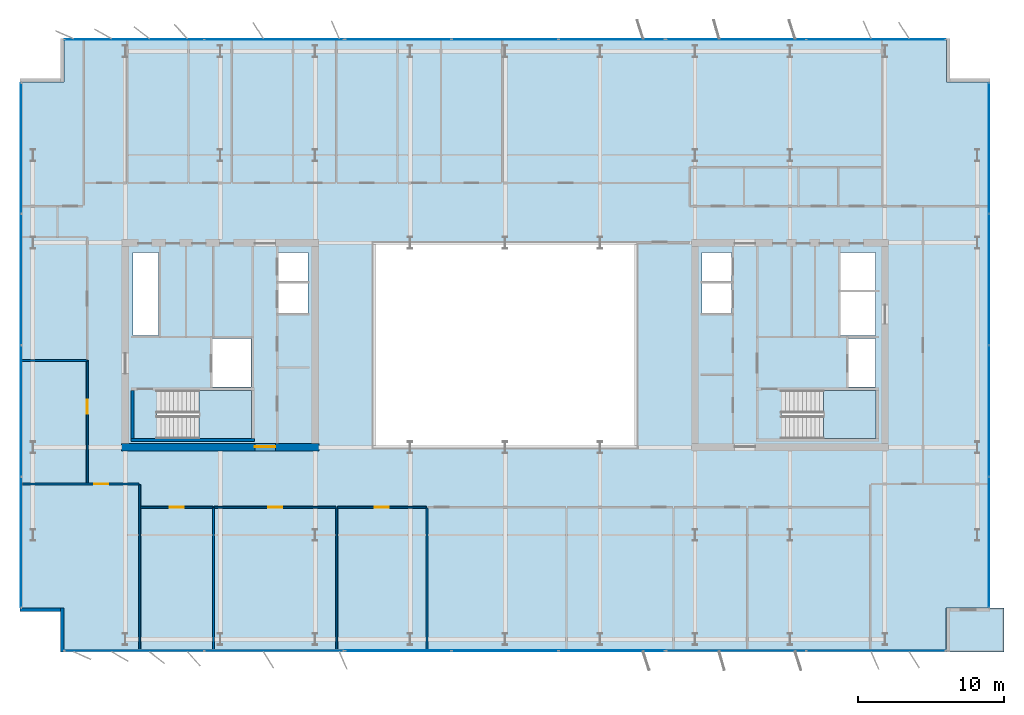
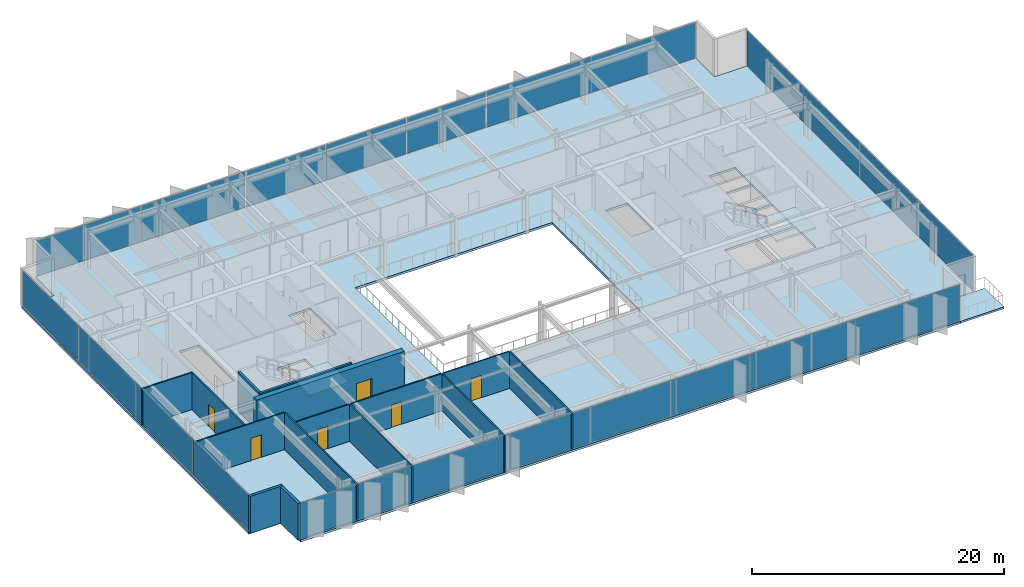
# One storey, part 16 of 24: 22 plates, 15 walls, 6 doors, 4 slabs, 6 openings, 10 elements without a shape of their own.
"""IFC4 building model written with IfcOpenShell, lengths in metres."""

from ifc_helpers import new_model, si_unit, direction, frame, frame_2d, origin, origin_2d, place, context, subcontext, project, spatial, polyline, rectangle, outline, extrude, material, layer, layer_set, type_object, element, fill, aggregate, save


model = new_model("IFC4")

# Units and contexts
model_context = context("Model", 3, precision=1e-05, world=origin(), true_north=direction((0.0, 1.0)))
body_context = subcontext(model_context, "Body", "Model", "MODEL_VIEW")
ifc_project = project(units=[si_unit("LENGTHUNIT", "METRE"), si_unit("AREAUNIT", "SQUARE_METRE"), si_unit("VOLUMEUNIT", "CUBIC_METRE"), si_unit("PLANEANGLEUNIT", "RADIAN"), si_unit("MASSUNIT", "GRAM", prefix="KILO")], contexts=[model_context])

# Site, building, storey
site_placement = place(None, origin())
site = spatial("IfcSite", under=ifc_project, at=site_placement, CompositionType="ELEMENT")
building_placement = place(site_placement, origin())
building = spatial("IfcBuilding", under=site, at=building_placement, Name="Putna Gate Headquarters", CompositionType="ELEMENT")
storey_placement = place(building_placement, frame((0.0, 0.0, 248.0)))
storey = spatial("IfcBuildingStorey", under=building, at=storey_placement, Name="L62", CompositionType="ELEMENT", Elevation=248.0)

# Stair, slab
ifc_material_1 = material(Name="Concrete C40/50", Category="concrete")
stair_type_1 = type_object("IfcStairType", Name="STAIR-ST1", PredefinedType="HALF_TURN_STAIR", material=ifc_material_1)
stair_1_placement = place(storey_placement, origin())
stair_1 = element("IfcStair", 1, at=stair_1_placement, inside=storey, type_object=stair_type_1, Name="L62 West Core Exit Stair ST1", PredefinedType="HALF_TURN_STAIR")
ifc_layer_1 = layer(ifc_material_1, 0.199951171875)
ifc_layer_set_1 = layer_set([ifc_layer_1], Name="Concrete C40/50")
slab_type_1 = type_object("IfcSlabType", Name="LANDING-ST1", PredefinedType="LANDING", material=ifc_layer_set_1)
slab_1_placement = place(storey_placement, frame((0.0, 0.0, 1.699951171875)))
slab_1 = element("IfcSlab", 2, at=slab_1_placement, type_object=slab_type_1, Name="ST1 landing 1", PredefinedType="LANDING", context=body_context, shape_type="SweptSolid", body=[
    extrude(outline(polyline([(18.050048828125, 19.60009765625), (21.64990234375, 19.60009765625), (21.64990234375, 22.89990234375), (18.050048828125, 22.89990234375), (18.050048828125, 19.60009765625)])), origin(), (0.0, 0.0, 1.0), 0.199951171875),
])
aggregate(stair_1, [slab_1])

stair_type_2 = type_object("IfcStairType", Name="STAIR-ST2", PredefinedType="HALF_TURN_STAIR", material=ifc_material_1)
stair_2_placement = place(storey_placement, origin())
stair_2 = element("IfcStair", 3, at=stair_2_placement, inside=storey, type_object=stair_type_2, Name="L62 East Core Exit Stair ST2", PredefinedType="HALF_TURN_STAIR")
ifc_layer_2 = layer(ifc_material_1, 0.199951171875)
ifc_layer_set_2 = layer_set([ifc_layer_2], Name="Concrete C40/50")
slab_type_2 = type_object("IfcSlabType", Name="LANDING-ST2", PredefinedType="LANDING", material=ifc_layer_set_2)
slab_2_placement = place(storey_placement, frame((0.0, 0.0, 1.699951171875)))
slab_2 = element("IfcSlab", 4, at=slab_2_placement, type_object=slab_type_2, Name="ST2 landing 1", PredefinedType="LANDING", context=body_context, shape_type="SweptSolid", body=[
    extrude(outline(polyline([(60.800048828125, 19.60009765625), (64.39990234375, 19.60009765625), (64.39990234375, 22.89990234375), (60.800048828125, 22.89990234375), (60.800048828125, 19.60009765625)])), origin(), (0.0, 0.0, 1.0), 0.199951171875),
])
aggregate(stair_2, [slab_2])

# Curtain wall, plates
ifc_material_2 = material(Name="Anodised bronze aluminium curtain wall", Category="aluminium")
ifc_layer_3 = layer(ifc_material_2, 0.139892578125)
ifc_layer_set_3 = layer_set([ifc_layer_3], Name="Anodised bronze aluminium curtain wall")
curtain_wall_type_1 = type_object("IfcCurtainWallType", Name="CW-SYS-Z4", PredefinedType="USERDEFINED", material=ifc_layer_set_3)
curtain_wall_1_placement = place(storey_placement, origin())
curtain_wall_1 = element("IfcCurtainWall", 5, at=curtain_wall_1_placement, inside=storey, type_object=curtain_wall_type_1, Name="L62 South West Curtain Wall", ObjectType="STICK CURTAIN WALL", PredefinedType="USERDEFINED")
ifc_material_3 = material(Name="Solar-control triple low-E glass", Category="glass")
ifc_layer_4 = layer(ifc_material_3, 0.02587890625)
ifc_layer_set_4 = layer_set([ifc_layer_4], Name="Solar-control triple low-E glass")
plate_type_1 = type_object("IfcPlateType", Name="PAN-CWP-4", PredefinedType="CURTAIN_PANEL", material=ifc_layer_set_4)
plate_1_placement = place(storey_placement, frame((13.614990234375, 5.080078125, 0.06005859375), z_axis=(0.0, 0.0, 1.0), x_axis=(1.0, 0.0, 0.0)))
plate_1 = element("IfcPlate", 6, at=plate_1_placement, type_object=plate_type_1, Name="CWS-4 panel 1.1", PredefinedType="CURTAIN_PANEL", context=body_context, shape_type="SweptSolid", body=[
    extrude(rectangle(XDim=9.510009765625, YDim=0.02587890625, at=origin_2d()), origin(), (0.0, 0.0, 1.0), 3.4599609375),
])
plate_2_placement = place(storey_placement, frame((23.18505859375, 5.080078125, 0.06005859375), z_axis=(0.0, 0.0, 1.0), x_axis=(1.0, 0.0, 0.0)))
plate_2 = element("IfcPlate", 7, at=plate_2_placement, type_object=plate_type_1, Name="CWS-4 panel 2.1", PredefinedType="CURTAIN_PANEL", context=body_context, shape_type="SweptSolid", body=[
    extrude(rectangle(XDim=9.510009765625, YDim=0.02587890625, at=origin_2d()), origin(), (0.0, 0.0, 1.0), 3.4599609375),
])
aggregate(curtain_wall_1, [plate_1, plate_2])

curtain_wall_2_placement = place(storey_placement, origin())
curtain_wall_2 = element("IfcCurtainWall", 8, at=curtain_wall_2_placement, inside=storey, type_object=curtain_wall_type_1, Name="L62 South East Curtain Wall", ObjectType="STICK CURTAIN WALL", PredefinedType="USERDEFINED")
plate_3_placement = place(storey_placement, frame((54.81494140625, 5.080078125, 0.06005859375), z_axis=(0.0, 0.0, 1.0), x_axis=(1.0, 0.0, 0.0)))
plate_3 = element("IfcPlate", 9, at=plate_3_placement, type_object=plate_type_1, Name="CWS-4 panel 1.1", PredefinedType="CURTAIN_PANEL", context=body_context, shape_type="SweptSolid", body=[
    extrude(rectangle(XDim=9.510009765625, YDim=0.02587890625, at=origin_2d()), origin(), (0.0, 0.0, 1.0), 3.4599609375),
])
plate_4_placement = place(storey_placement, frame((64.385009765625, 5.080078125, 0.06005859375), z_axis=(0.0, 0.0, 1.0), x_axis=(1.0, 0.0, 0.0)))
plate_4 = element("IfcPlate", 10, at=plate_4_placement, type_object=plate_type_1, Name="CWS-4 panel 2.1", PredefinedType="CURTAIN_PANEL", context=body_context, shape_type="SweptSolid", body=[
    extrude(rectangle(XDim=9.510009765625, YDim=0.02587890625, at=origin_2d()), origin(), (0.0, 0.0, 1.0), 3.4599609375),
])
aggregate(curtain_wall_2, [plate_3, plate_4])

curtain_wall_3_placement = place(storey_placement, origin())
curtain_wall_3 = element("IfcCurtainWall", 11, at=curtain_wall_3_placement, inside=storey, type_object=curtain_wall_type_1, Name="L62 North West Curtain Wall", ObjectType="STICK CURTAIN WALL", PredefinedType="USERDEFINED")
plate_5_placement = place(storey_placement, frame((13.614990234375, 46.919921875, 0.06005859375), z_axis=(0.0, 0.0, 1.0), x_axis=(1.0, 0.0, 0.0)))
plate_5 = element("IfcPlate", 12, at=plate_5_placement, type_object=plate_type_1, Name="CWS-4 panel 1.1", PredefinedType="CURTAIN_PANEL", context=body_context, shape_type="SweptSolid", body=[
    extrude(rectangle(XDim=9.510009765625, YDim=0.02587890625, at=origin_2d()), origin(), (0.0, 0.0, 1.0), 3.4599609375),
])
plate_6_placement = place(storey_placement, frame((23.18505859375, 46.919921875, 0.06005859375), z_axis=(0.0, 0.0, 1.0), x_axis=(1.0, 0.0, 0.0)))
plate_6 = element("IfcPlate", 13, at=plate_6_placement, type_object=plate_type_1, Name="CWS-4 panel 2.1", PredefinedType="CURTAIN_PANEL", context=body_context, shape_type="SweptSolid", body=[
    extrude(rectangle(XDim=9.510009765625, YDim=0.02587890625, at=origin_2d()), origin(), (0.0, 0.0, 1.0), 3.4599609375),
])
aggregate(curtain_wall_3, [plate_5, plate_6])

curtain_wall_4_placement = place(storey_placement, origin())
curtain_wall_4 = element("IfcCurtainWall", 14, at=curtain_wall_4_placement, inside=storey, type_object=curtain_wall_type_1, Name="L62 North East Curtain Wall", ObjectType="STICK CURTAIN WALL", PredefinedType="USERDEFINED")
plate_7_placement = place(storey_placement, frame((54.81494140625, 46.919921875, 0.06005859375), z_axis=(0.0, 0.0, 1.0), x_axis=(1.0, 0.0, 0.0)))
plate_7 = element("IfcPlate", 15, at=plate_7_placement, type_object=plate_type_1, Name="CWS-4 panel 1.1", PredefinedType="CURTAIN_PANEL", context=body_context, shape_type="SweptSolid", body=[
    extrude(rectangle(XDim=9.510009765625, YDim=0.02587890625, at=origin_2d()), origin(), (0.0, 0.0, 1.0), 3.4599609375),
])
plate_8_placement = place(storey_placement, frame((64.385009765625, 46.919921875, 0.06005859375), z_axis=(0.0, 0.0, 1.0), x_axis=(1.0, 0.0, 0.0)))
plate_8 = element("IfcPlate", 16, at=plate_8_placement, type_object=plate_type_1, Name="CWS-4 panel 2.1", PredefinedType="CURTAIN_PANEL", context=body_context, shape_type="SweptSolid", body=[
    extrude(rectangle(XDim=9.510009765625, YDim=0.02587890625, at=origin_2d()), origin(), (0.0, 0.0, 1.0), 3.4599609375),
])
aggregate(curtain_wall_4, [plate_7, plate_8])

curtain_wall_5_placement = place(storey_placement, origin())
curtain_wall_5 = element("IfcCurtainWall", 17, at=curtain_wall_5_placement, inside=storey, type_object=curtain_wall_type_1, Name="L62 West Curtain Wall", ObjectType="STICK CURTAIN WALL", PredefinedType="USERDEFINED")
plate_9_placement = place(storey_placement, frame((5.8798828125, 12.514892578125, 0.06005859375), z_axis=(0.0, 0.0, 1.0), x_axis=(0.0, 1.0, 0.0)))
plate_9 = element("IfcPlate", 18, at=plate_9_placement, type_object=plate_type_1, Name="CWS-4 panel 1.1", PredefinedType="CURTAIN_PANEL", context=body_context, shape_type="SweptSolid", body=[
    extrude(rectangle(XDim=8.909912109375, YDim=0.02587890625, at=origin_2d()), origin(), (0.0, 0.0, 1.0), 3.4599609375),
])
plate_10_placement = place(storey_placement, frame((5.8798828125, 21.5, 0.06005859375), z_axis=(0.0, 0.0, 1.0), x_axis=(0.0, 1.0, 0.0)))
plate_10 = element("IfcPlate", 19, at=plate_10_placement, type_object=plate_type_1, Name="CWS-4 panel 2.1", PredefinedType="CURTAIN_PANEL", context=body_context, shape_type="SweptSolid", body=[
    extrude(rectangle(XDim=8.93994140625, YDim=0.02587890625, at=origin_2d()), origin(), (0.0, 0.0, 1.0), 3.4599609375),
])
plate_11_placement = place(storey_placement, frame((5.8798828125, 30.5, 0.06005859375), z_axis=(0.0, 0.0, 1.0), x_axis=(0.0, 1.0, 0.0)))
plate_11 = element("IfcPlate", 20, at=plate_11_placement, type_object=plate_type_1, Name="CWS-4 panel 3.1", PredefinedType="CURTAIN_PANEL", context=body_context, shape_type="SweptSolid", body=[
    extrude(rectangle(XDim=8.93994140625, YDim=0.02587890625, at=origin_2d()), origin(), (0.0, 0.0, 1.0), 3.4599609375),
])
plate_12_placement = place(storey_placement, frame((5.8798828125, 39.485107421875, 0.06005859375), z_axis=(0.0, 0.0, 1.0), x_axis=(0.0, 1.0, 0.0)))
plate_12 = element("IfcPlate", 21, at=plate_12_placement, type_object=plate_type_1, Name="CWS-4 panel 4.1", PredefinedType="CURTAIN_PANEL", context=body_context, shape_type="SweptSolid", body=[
    extrude(rectangle(XDim=8.909912109375, YDim=0.02587890625, at=origin_2d()), origin(), (0.0, 0.0, 1.0), 3.4599609375),
])
aggregate(curtain_wall_5, [plate_9, plate_10, plate_11, plate_12])

curtain_wall_6_placement = place(storey_placement, origin())
curtain_wall_6 = element("IfcCurtainWall", 22, at=curtain_wall_6_placement, inside=storey, type_object=curtain_wall_type_1, Name="L62 East Curtain Wall", ObjectType="STICK CURTAIN WALL", PredefinedType="USERDEFINED")
plate_13_placement = place(storey_placement, frame((72.1201171875, 12.514892578125, 0.06005859375), z_axis=(0.0, 0.0, 1.0), x_axis=(0.0, 1.0, 0.0)))
plate_13 = element("IfcPlate", 23, at=plate_13_placement, type_object=plate_type_1, Name="CWS-4 panel 1.1", PredefinedType="CURTAIN_PANEL", context=body_context, shape_type="SweptSolid", body=[
    extrude(rectangle(XDim=8.909912109375, YDim=0.02587890625, at=origin_2d()), origin(), (0.0, 0.0, 1.0), 3.4599609375),
])
plate_14_placement = place(storey_placement, frame((72.1201171875, 21.5, 0.06005859375), z_axis=(0.0, 0.0, 1.0), x_axis=(0.0, 1.0, 0.0)))
plate_14 = element("IfcPlate", 24, at=plate_14_placement, type_object=plate_type_1, Name="CWS-4 panel 2.1", PredefinedType="CURTAIN_PANEL", context=body_context, shape_type="SweptSolid", body=[
    extrude(rectangle(XDim=8.93994140625, YDim=0.02587890625, at=origin_2d()), origin(), (0.0, 0.0, 1.0), 3.4599609375),
])
plate_15_placement = place(storey_placement, frame((72.1201171875, 30.5, 0.06005859375), z_axis=(0.0, 0.0, 1.0), x_axis=(0.0, 1.0, 0.0)))
plate_15 = element("IfcPlate", 25, at=plate_15_placement, type_object=plate_type_1, Name="CWS-4 panel 3.1", PredefinedType="CURTAIN_PANEL", context=body_context, shape_type="SweptSolid", body=[
    extrude(rectangle(XDim=8.93994140625, YDim=0.02587890625, at=origin_2d()), origin(), (0.0, 0.0, 1.0), 3.4599609375),
])
plate_16_placement = place(storey_placement, frame((72.1201171875, 39.485107421875, 0.06005859375), z_axis=(0.0, 0.0, 1.0), x_axis=(0.0, 1.0, 0.0)))
plate_16 = element("IfcPlate", 26, at=plate_16_placement, type_object=plate_type_1, Name="CWS-4 panel 4.1", PredefinedType="CURTAIN_PANEL", context=body_context, shape_type="SweptSolid", body=[
    extrude(rectangle(XDim=8.909912109375, YDim=0.02587890625, at=origin_2d()), origin(), (0.0, 0.0, 1.0), 3.4599609375),
])
aggregate(curtain_wall_6, [plate_13, plate_14, plate_15, plate_16])

ifc_layer_5 = layer(ifc_material_2, 0.179931640625)
ifc_layer_set_5 = layer_set([ifc_layer_5], Name="Anodised bronze aluminium curtain wall")
curtain_wall_type_2 = type_object("IfcCurtainWallType", Name="CW-SYS-ATR", PredefinedType="USERDEFINED", material=ifc_layer_set_5)
curtain_wall_7_placement = place(storey_placement, origin())
curtain_wall_7 = element("IfcCurtainWall", 27, at=curtain_wall_7_placement, inside=storey, type_object=curtain_wall_type_2, Name="L62 South Atrium Clear Glazing", ObjectType="ATRIUM GLAZING", PredefinedType="USERDEFINED")
ifc_material_4 = material(Name="Clear low-iron triple glazing", Category="glass")
ifc_layer_6 = layer(ifc_material_4, 0.0400390625)
ifc_layer_set_6 = layer_set([ifc_layer_6], Name="Clear low-iron triple glazing")
plate_type_2 = type_object("IfcPlateType", Name="PAN-CWP-AT", PredefinedType="CURTAIN_PANEL", material=ifc_layer_set_6)
plate_17_placement = place(storey_placement, frame((31.68408203125, 5.080078125, 0.070068359375), z_axis=(0.0, 0.0, 1.0), x_axis=(1.0, 0.0, 0.0)))
plate_17 = element("IfcPlate", 28, at=plate_17_placement, type_object=plate_type_2, Name="CWS-AT panel 1.1", PredefinedType="CURTAIN_PANEL", context=body_context, shape_type="SweptSolid", body=[
    extrude(rectangle(XDim=7.228271484375, YDim=0.0400390625, at=origin_2d()), origin(), (0.0, 0.0, 1.0), 3.43994140625),
])
plate_18_placement = place(storey_placement, frame((39.0, 5.080078125, 0.070068359375), z_axis=(0.0, 0.0, 1.0), x_axis=(1.0, 0.0, 0.0)))
plate_18 = element("IfcPlate", 29, at=plate_18_placement, type_object=plate_type_2, Name="CWS-AT panel 2.1", PredefinedType="CURTAIN_PANEL", context=body_context, shape_type="SweptSolid", body=[
    extrude(rectangle(XDim=7.263427734375, YDim=0.0400390625, at=origin_2d()), origin(), (0.0, 0.0, 1.0), 3.43994140625),
])
plate_19_placement = place(storey_placement, frame((46.31591796875, 5.080078125, 0.070068359375), z_axis=(0.0, 0.0, 1.0), x_axis=(1.0, 0.0, 0.0)))
plate_19 = element("IfcPlate", 30, at=plate_19_placement, type_object=plate_type_2, Name="CWS-AT panel 3.1", PredefinedType="CURTAIN_PANEL", context=body_context, shape_type="SweptSolid", body=[
    extrude(rectangle(XDim=7.228271484375, YDim=0.0400390625, at=origin_2d()), origin(), (0.0, 0.0, 1.0), 3.43994140625),
])
aggregate(curtain_wall_7, [plate_17, plate_18, plate_19])

curtain_wall_8_placement = place(storey_placement, origin())
curtain_wall_8 = element("IfcCurtainWall", 31, at=curtain_wall_8_placement, inside=storey, type_object=curtain_wall_type_2, Name="L62 North Atrium Clear Glazing", ObjectType="ATRIUM GLAZING", PredefinedType="USERDEFINED")
plate_20_placement = place(storey_placement, frame((31.68408203125, 46.919921875, 0.070068359375), z_axis=(0.0, 0.0, 1.0), x_axis=(1.0, 0.0, 0.0)))
plate_20 = element("IfcPlate", 32, at=plate_20_placement, type_object=plate_type_2, Name="CWS-AT panel 1.1", PredefinedType="CURTAIN_PANEL", context=body_context, shape_type="SweptSolid", body=[
    extrude(rectangle(XDim=7.228271484375, YDim=0.0400390625, at=origin_2d()), origin(), (0.0, 0.0, 1.0), 3.43994140625),
])
plate_21_placement = place(storey_placement, frame((39.0, 46.919921875, 0.070068359375), z_axis=(0.0, 0.0, 1.0), x_axis=(1.0, 0.0, 0.0)))
plate_21 = element("IfcPlate", 33, at=plate_21_placement, type_object=plate_type_2, Name="CWS-AT panel 2.1", PredefinedType="CURTAIN_PANEL", context=body_context, shape_type="SweptSolid", body=[
    extrude(rectangle(XDim=7.263427734375, YDim=0.0400390625, at=origin_2d()), origin(), (0.0, 0.0, 1.0), 3.43994140625),
])
plate_22_placement = place(storey_placement, frame((46.31591796875, 46.919921875, 0.070068359375), z_axis=(0.0, 0.0, 1.0), x_axis=(1.0, 0.0, 0.0)))
plate_22 = element("IfcPlate", 34, at=plate_22_placement, type_object=plate_type_2, Name="CWS-AT panel 3.1", PredefinedType="CURTAIN_PANEL", context=body_context, shape_type="SweptSolid", body=[
    extrude(rectangle(XDim=7.228271484375, YDim=0.0400390625, at=origin_2d()), origin(), (0.0, 0.0, 1.0), 3.43994140625),
])
aggregate(curtain_wall_8, [plate_20, plate_21, plate_22])

# Slabs
ifc_layer_7 = layer(ifc_material_1, 0.179931640625)
ifc_layer_set_7 = layer_set([ifc_layer_7], Name="Concrete C40/50")
slab_type_3 = type_object("IfcSlabType", Name="SLAB-TERRACE-180", PredefinedType="FLOOR", material=ifc_layer_set_7)
slab_3_placement = place(storey_placement, frame((0.0, 0.0, -0.179931640625)))
element("IfcSlab", 35, at=slab_3_placement, inside=storey, type_object=slab_type_3, Name="L62 Spiral Sky-Garden Terrace Slab (SE)", PredefinedType="FLOOR", context=body_context, shape_type="SweptSolid", body=[
    extrude(outline(polyline([(69.19189453125, 5.0), (73.14990234375, 5.0), (73.14990234375, 8.008056640625), (69.19189453125, 8.008056640625), (69.19189453125, 5.0)])), origin(), (0.0, 0.0, 1.0), 0.179931640625),
])
ifc_layer_8 = layer(ifc_material_1, 0.219970703125)
ifc_layer_set_8 = layer_set([ifc_layer_8], Name="Concrete C40/50")
slab_type_4 = type_object("IfcSlabType", Name="SLAB-Z4-220", PredefinedType="FLOOR", material=ifc_layer_set_8)
slab_4_placement = place(storey_placement, frame((0.0, 0.0, -0.219970703125)))
element("IfcSlab", 36, at=slab_4_placement, inside=storey, type_object=slab_type_4, Name="L62 Composite Floor Slab", PredefinedType="FLOOR", context=body_context, shape_type="SweptSolid", body=[
    extrude(outline(polyline([(8.800048828125, 5.0), (69.199951171875, 5.0), (69.199951171875, 8.0), (72.199951171875, 8.0), (72.199951171875, 44.0), (69.199951171875, 44.0), (69.199951171875, 47.0), (8.800048828125, 47.0), (8.800048828125, 44.0), (5.800048828125, 44.0), (5.800048828125, 8.0), (8.800048828125, 8.0), (8.800048828125, 5.0)]), holes=[polyline([(15.1650390625, 19.60009765625), (21.64990234375, 19.60009765625), (21.64990234375, 22.89990234375), (15.1650390625, 22.89990234375), (15.1650390625, 19.60009765625)]), polyline([(57.9150390625, 19.60009765625), (64.39990234375, 19.60009765625), (64.39990234375, 22.89990234375), (57.9150390625, 22.89990234375), (57.9150390625, 19.60009765625)]), polyline([(13.52001953125, 26.659912109375), (15.280029296875, 26.659912109375), (15.280029296875, 32.35009765625), (13.52001953125, 32.35009765625), (13.52001953125, 26.659912109375)]), polyline([(61.969970703125, 29.780029296875), (64.35009765625, 29.780029296875), (64.35009765625, 32.35009765625), (61.969970703125, 32.35009765625), (61.969970703125, 29.780029296875)]), polyline([(18.97998046875, 23.1201171875), (21.6201171875, 23.1201171875), (21.6201171875, 26.4599609375), (18.97998046875, 26.4599609375), (18.97998046875, 23.1201171875)]), polyline([(62.52001953125, 23.1201171875), (64.35009765625, 23.1201171875), (64.35009765625, 26.4599609375), (62.52001953125, 26.4599609375), (62.52001953125, 23.1201171875)]), polyline([(61.969970703125, 26.659912109375), (64.35009765625, 26.659912109375), (64.35009765625, 29.6201171875), (61.969970703125, 29.6201171875), (61.969970703125, 26.659912109375)]), polyline([(23.5, 28.199951171875), (25.5, 28.199951171875), (25.5, 32.35009765625), (23.5, 32.35009765625), (23.5, 28.199951171875)]), polyline([(52.47998046875, 28.199951171875), (54.5, 28.199951171875), (54.5, 32.35009765625), (52.47998046875, 32.35009765625), (52.47998046875, 28.199951171875)]), polyline([(30.0, 19.0), (48.0, 19.0), (48.0, 33.0), (30.0, 33.0), (30.0, 19.0)])]), origin(), (0.0, 0.0, 1.0), 0.219970703125),
])

# Wall, opening, door
ifc_material_5 = material(Name="Concrete C50/60", Category="concrete")
ifc_layer_9 = layer(ifc_material_5, 0.5)
ifc_layer_set_9 = layer_set([ifc_layer_9], Name="Concrete C50/60")
wall_type_1 = type_object("IfcWallType", Name="WALL-CORE-500", PredefinedType="SHEAR", material=ifc_layer_set_9)
wall_1_placement = place(storey_placement, frame((12.75, 19.0, 0.0), z_axis=(0.0, 0.0, 1.0), x_axis=(1.0, 0.0, 0.0)))
wall_1 = element("IfcWall", 37, at=wall_1_placement, inside=storey, type_object=wall_type_1, Name="L62 WC Split Core Shear Wall S", PredefinedType="SHEAR", context=body_context, shape_type="SweptSolid", body=[
    extrude(rectangle(XDim=13.5, YDim=0.5, at=frame_2d((6.75, 0.0))), origin(), (0.0, 0.0, 1.0), 3.800048828125),
])
opening_1_placement = place(wall_1_placement, frame((9.1298828125, 0.0, 0.0)))
opening_1 = element("IfcOpeningElement", 38, at=opening_1_placement, cuts=wall_1, Name="Opening FDD-140", PredefinedType="OPENING", context=body_context, shape_type="SweptSolid", body=[
    extrude(rectangle(XDim=1.39990234375, YDim=2.199951171875, at=frame_2d((0.699951171875, 1.10009765625))), frame((0.0, 0.260009765625, 0.0), z_axis=(0.0, -1.0, 0.0), x_axis=(1.0, 0.0, 0.0)), (0.0, 0.0, 1.0), 0.52001953125),
])
ifc_material_6 = material(Name="Double steel fire door", Category="steel")
door_type_1 = type_object("IfcDoorType", Name="DOOR-FIRE-DBL-1400", OperationType="DOUBLE_DOOR_SINGLE_SWING", PredefinedType="DOOR", material=ifc_material_6)
door_1_placement = place(opening_1_placement, origin())
door_1 = element("IfcDoor", 39, at=door_1_placement, inside=storey, type_object=door_type_1, Name="L62 West Lift Lobby South Door", OperationType="DOUBLE_DOOR_SINGLE_SWING", OverallHeight=2.199951171875, OverallWidth=1.39990234375, PredefinedType="DOOR", context=body_context, shape_type="SweptSolid", body=[
    extrude(rectangle(XDim=1.39990234375, YDim=2.199951171875, at=frame_2d((0.699951171875, 1.10009765625))), frame((0.0, 0.0751953125, 0.0), z_axis=(0.0, -1.0, 0.0), x_axis=(1.0, 0.0, 0.0)), (0.0, 0.0, 1.0), 0.050048828125),
])
fill(opening_1, door_1)

# Walls
ifc_material_7 = material(Name="Precast concrete C40/50", Category="concrete")
ifc_layer_10 = layer(ifc_material_7, 0.239990234375)
ifc_layer_set_10 = layer_set([ifc_layer_10], Name="Precast concrete C40/50")
wall_type_2 = type_object("IfcWallType", Name="WALL-EXT-TERR-240", PredefinedType="STANDARD", material=ifc_layer_set_10)
for number, where, z_axis, x_axis, name in (
    (40, (8.679931640625, 5.0, 0.0), (0.0, 0.0, 1.0), (0.0, 1.0, 0.0), "L62 Corner Notch Return Wall SW-V"),
    (41, (8.800048828125, 7.8798828125, 0.0), (0.0, 0.0, 1.0), (-1.0, 0.0, 0.0), "L62 Corner Notch Return Wall SW-H"),
):
    element("IfcWall", number, at=place(storey_placement, frame(where, z_axis=z_axis, x_axis=x_axis)), inside=storey, type_object=wall_type_2, Name=name, PredefinedType="STANDARD", context=body_context, shape_type="SweptSolid", body=[
        extrude(rectangle(XDim=3.0, YDim=0.239990234375, at=frame_2d((1.5, 0.0))), origin(), (0.0, 0.0, 1.0), 3.580078125),
    ])
ifc_material_8 = material(Name="Acoustic gypsum board on metal stud")
ifc_layer_11 = layer(ifc_material_8, 0.1201171875)
ifc_layer_set_11 = layer_set([ifc_layer_11], Name="Acoustic gypsum board on metal stud")
wall_type_3 = type_object("IfcWallType", Name="WALL-PART-120", PredefinedType="PARTITIONING", material=ifc_layer_set_11)
wall_2_placement = place(storey_placement, frame((13.997314453125, 5.02001953125, 0.0), z_axis=(0.0, 0.0, 1.0), x_axis=(0.0, 1.0, 0.0)))
element("IfcWall", 42, at=wall_2_placement, inside=storey, type_object=wall_type_3, Name="L62 Interior Wall PART-L62-SB-DIV-01", PredefinedType="PARTITIONING", context=body_context, shape_type="SweptSolid", body=[
    extrude(rectangle(XDim=11.419921875, YDim=0.1201171875, at=frame_2d((5.7099609375, 0.0))), origin(), (0.0, 0.0, 1.0), 3.580078125),
])
for number, where, z_axis, x_axis, name in (
    (43, (19.042724609375, 5.02001953125, 0.0), (0.0, 0.0, 1.0), (0.0, 1.0, 0.0), "L62 Interior Wall PART-L62-SB-DIV-02"),
    (44, (27.47607421875, 5.02001953125, 0.0), (0.0, 0.0, 1.0), (0.0, 1.0, 0.0), "L62 Interior Wall PART-L62-SB-DIV-03"),
    (45, (33.657470703125, 5.02001953125, 0.0), (0.0, 0.0, 1.0), (0.0, 1.0, 0.0), "L62 Interior Wall PART-L62-SB-DIV-04"),
):
    element("IfcWall", number, at=place(storey_placement, frame(where, z_axis=z_axis, x_axis=x_axis)), inside=storey, type_object=wall_type_3, Name=name, PredefinedType="PARTITIONING", context=body_context, shape_type="SweptSolid", body=[
        extrude(rectangle(XDim=9.820068359375, YDim=0.1201171875, at=frame_2d((4.91015625, 0.0))), origin(), (0.0, 0.0, 1.0), 3.580078125),
    ])
wall_3_placement = place(storey_placement, frame((5.820068359375, 24.949951171875, 0.0), z_axis=(0.0, 0.0, 1.0), x_axis=(1.0, 0.0, 0.0)))
element("IfcWall", 46, at=wall_3_placement, inside=storey, type_object=wall_type_3, Name="L62 Interior Wall PART-L62-WW-DIV-1", PredefinedType="PARTITIONING", context=body_context, shape_type="SweptSolid", body=[
    extrude(rectangle(XDim=4.579833984375, YDim=0.1201171875, at=frame_2d((2.2900390625, 0.0))), origin(), (0.0, 0.0, 1.0), 3.580078125),
])

# Wall, opening, door
ifc_material_9 = material(Name="Fire-rated gypsum board on metal stud")
ifc_layer_12 = layer(ifc_material_9, 0.1201171875)
ifc_layer_set_12 = layer_set([ifc_layer_12], Name="Fire-rated gypsum board on metal stud")
wall_type_4 = type_object("IfcWallType", Name="WALL-PART-120-RATED", PredefinedType="PARTITIONING", material=ifc_layer_set_12)
wall_4_placement = place(storey_placement, frame((5.97998046875, 16.5, 0.0), z_axis=(0.0, 0.0, 1.0), x_axis=(1.0, 0.0, 0.0)))
wall_4 = element("IfcWall", 47, at=wall_4_placement, inside=storey, type_object=wall_type_4, Name="L62 Interior Wall PART-L62-SB-CW-01", PredefinedType="PARTITIONING", context=body_context, shape_type="SweptSolid", body=[
    extrude(rectangle(XDim=7.957275390625, YDim=0.1201171875, at=frame_2d((3.978515625, 0.0))), origin(), (0.0, 0.0, 1.0), 3.580078125),
])
opening_2_placement = place(wall_4_placement, frame((4.89990234375, 0.0, 0.0)))
opening_2 = element("IfcOpeningElement", 48, at=opening_2_placement, cuts=wall_4, Name="Opening FD-95", PredefinedType="OPENING", context=body_context, shape_type="SweptSolid", body=[
    extrude(rectangle(XDim=0.949951171875, YDim=2.14990234375, at=frame_2d((0.47509765625, 1.074951171875))), frame((0.0, 0.070068359375, 0.0), z_axis=(0.0, -1.0, 0.0), x_axis=(1.0, 0.0, 0.0)), (0.0, 0.0, 1.0), 0.14013671875),
])
ifc_material_10 = material(Name="Acoustic timber fire door", Category="wood")
door_type_2 = type_object("IfcDoorType", Name="DOOR-FIRE-950", OperationType="NOTDEFINED", PredefinedType="DOOR", material=ifc_material_10)
door_2_placement = place(opening_2_placement, origin())
door_2 = element("IfcDoor", 49, at=door_2_placement, inside=storey, type_object=door_type_2, Name="L62 Cellular Office 3 Door", OperationType="SINGLE_SWING_LEFT", OverallHeight=2.14990234375, OverallWidth=0.949951171875, PredefinedType="DOOR", context=body_context, shape_type="SweptSolid", body=[
    extrude(rectangle(XDim=0.949951171875, YDim=2.14990234375, at=frame_2d((0.47509765625, 1.074951171875))), frame((0.0, 0.02490234375, 0.0), z_axis=(0.0, -1.0, 0.0), x_axis=(1.0, 0.0, 0.0)), (0.0, 0.0, 1.0), 0.050048828125),
])
fill(opening_2, door_2)

wall_5_placement = place(storey_placement, frame((14.057373046875, 14.89990234375, 0.0), z_axis=(0.0, 0.0, 1.0), x_axis=(1.0, 0.0, 0.0)))
wall_5 = element("IfcWall", 50, at=wall_5_placement, inside=storey, type_object=wall_type_4, Name="L62 Interior Wall PART-L62-SB-CW-02", PredefinedType="PARTITIONING", context=body_context, shape_type="SweptSolid", body=[
    extrude(rectangle(XDim=4.92529296875, YDim=0.1201171875, at=frame_2d((2.462646484375, 0.0))), origin(), (0.0, 0.0, 1.0), 3.580078125),
])
opening_3_placement = place(wall_5_placement, frame((1.98779296875, 0.0, 0.0)))
opening_3 = element("IfcOpeningElement", 51, at=opening_3_placement, cuts=wall_5, Name="Opening FD-95", PredefinedType="OPENING", context=body_context, shape_type="SweptSolid", body=[
    extrude(rectangle(XDim=0.949951171875, YDim=2.14990234375, at=frame_2d((0.47509765625, 1.074951171875))), frame((0.0, 0.070068359375, 0.0), z_axis=(0.0, -1.0, 0.0), x_axis=(1.0, 0.0, 0.0)), (0.0, 0.0, 1.0), 0.14013671875),
])
door_3_placement = place(opening_3_placement, origin())
door_3 = element("IfcDoor", 52, at=door_3_placement, inside=storey, type_object=door_type_2, Name="L62 Conference Meeting Room 5 Door", OperationType="SINGLE_SWING_RIGHT", OverallHeight=2.14990234375, OverallWidth=0.949951171875, PredefinedType="DOOR", context=body_context, shape_type="SweptSolid", body=[
    extrude(rectangle(XDim=0.949951171875, YDim=2.14990234375, at=frame_2d((0.47509765625, 1.074951171875))), frame((0.0, 0.02490234375, 0.0), z_axis=(0.0, -1.0, 0.0), x_axis=(1.0, 0.0, 0.0)), (0.0, 0.0, 1.0), 0.050048828125),
])
fill(opening_3, door_3)

wall_6_placement = place(storey_placement, frame((19.102783203125, 14.89990234375, 0.0), z_axis=(0.0, 0.0, 1.0), x_axis=(1.0, 0.0, 0.0)))
wall_6 = element("IfcWall", 53, at=wall_6_placement, inside=storey, type_object=wall_type_4, Name="L62 Interior Wall PART-L62-SB-CW-03", PredefinedType="PARTITIONING", context=body_context, shape_type="SweptSolid", body=[
    extrude(rectangle(XDim=8.313232421875, YDim=0.1201171875, at=frame_2d((4.15673828125, 0.0))), origin(), (0.0, 0.0, 1.0), 3.580078125),
])
opening_4_placement = place(wall_6_placement, frame((3.681640625, 0.0, 0.0)))
opening_4 = element("IfcOpeningElement", 54, at=opening_4_placement, cuts=wall_6, Name="Opening FD-95", PredefinedType="OPENING", context=body_context, shape_type="SweptSolid", body=[
    extrude(rectangle(XDim=0.949951171875, YDim=2.14990234375, at=frame_2d((0.47509765625, 1.074951171875))), frame((0.0, 0.070068359375, 0.0), z_axis=(0.0, -1.0, 0.0), x_axis=(1.0, 0.0, 0.0)), (0.0, 0.0, 1.0), 0.14013671875),
])
door_4_placement = place(opening_4_placement, origin())
door_4 = element("IfcDoor", 55, at=door_4_placement, inside=storey, type_object=door_type_2, Name="L62 Conference Meeting Room 6 Door", OperationType="SINGLE_SWING_LEFT", OverallHeight=2.14990234375, OverallWidth=0.949951171875, PredefinedType="DOOR", context=body_context, shape_type="SweptSolid", body=[
    extrude(rectangle(XDim=0.949951171875, YDim=2.14990234375, at=frame_2d((0.47509765625, 1.074951171875))), frame((0.0, 0.02490234375, 0.0), z_axis=(0.0, -1.0, 0.0), x_axis=(1.0, 0.0, 0.0)), (0.0, 0.0, 1.0), 0.050048828125),
])
fill(opening_4, door_4)

wall_7_placement = place(storey_placement, frame((27.535888671875, 14.89990234375, 0.0), z_axis=(0.0, 0.0, 1.0), x_axis=(1.0, 0.0, 0.0)))
wall_7 = element("IfcWall", 56, at=wall_7_placement, inside=storey, type_object=wall_type_4, Name="L62 Interior Wall PART-L62-SB-CW-04", PredefinedType="PARTITIONING", context=body_context, shape_type="SweptSolid", body=[
    extrude(rectangle(XDim=6.0615234375, YDim=0.1201171875, at=frame_2d((3.03076171875, 0.0))), origin(), (0.0, 0.0, 1.0), 3.580078125),
])
opening_5_placement = place(wall_7_placement, frame((2.5556640625, 0.0, 0.0)))
opening_5 = element("IfcOpeningElement", 57, at=opening_5_placement, cuts=wall_7, Name="Opening FD-95", PredefinedType="OPENING", context=body_context, shape_type="SweptSolid", body=[
    extrude(rectangle(XDim=0.949951171875, YDim=2.14990234375, at=frame_2d((0.47509765625, 1.074951171875))), frame((0.0, 0.070068359375, 0.0), z_axis=(0.0, -1.0, 0.0), x_axis=(1.0, 0.0, 0.0)), (0.0, 0.0, 1.0), 0.14013671875),
])
door_5_placement = place(opening_5_placement, origin())
door_5 = element("IfcDoor", 58, at=door_5_placement, inside=storey, type_object=door_type_2, Name="L62 Conference Meeting Room 7 Door", OperationType="SINGLE_SWING_RIGHT", OverallHeight=2.14990234375, OverallWidth=0.949951171875, PredefinedType="DOOR", context=body_context, shape_type="SweptSolid", body=[
    extrude(rectangle(XDim=0.949951171875, YDim=2.14990234375, at=frame_2d((0.47509765625, 1.074951171875))), frame((0.0, 0.02490234375, 0.0), z_axis=(0.0, -1.0, 0.0), x_axis=(1.0, 0.0, 0.0)), (0.0, 0.0, 1.0), 0.050048828125),
])
fill(opening_5, door_5)

wall_8_placement = place(storey_placement, frame((10.39990234375, 16.5, 0.0), z_axis=(0.0, 0.0, 1.0), x_axis=(0.0, 1.0, 0.0)))
wall_8 = element("IfcWall", 59, at=wall_8_placement, inside=storey, type_object=wall_type_4, Name="L62 Interior Wall PART-L62-WW-CW-1", PredefinedType="PARTITIONING", context=body_context, shape_type="SweptSolid", body=[
    extrude(rectangle(XDim=8.449951171875, YDim=0.1201171875, at=frame_2d((4.22509765625, 0.0))), origin(), (0.0, 0.0, 1.0), 3.580078125),
])
opening_6_placement = place(wall_8_placement, frame((4.800048828125, 0.0, 0.0)))
opening_6 = element("IfcOpeningElement", 60, at=opening_6_placement, cuts=wall_8, Name="Opening FD-95", PredefinedType="OPENING", context=body_context, shape_type="SweptSolid", body=[
    extrude(rectangle(XDim=0.949951171875, YDim=2.14990234375, at=frame_2d((0.47509765625, 1.074951171875))), frame((0.0, 0.070068359375, 0.0), z_axis=(0.0, -1.0, 0.0), x_axis=(1.0, 0.0, 0.0)), (0.0, 0.0, 1.0), 0.14013671875),
])
door_6_placement = place(opening_6_placement, origin())
door_6 = element("IfcDoor", 61, at=door_6_placement, inside=storey, type_object=door_type_2, Name="L62 West Project Meeting Room 1 Door", OperationType="SINGLE_SWING_RIGHT", OverallHeight=2.14990234375, OverallWidth=0.949951171875, PredefinedType="DOOR", context=body_context, shape_type="SweptSolid", body=[
    extrude(rectangle(XDim=0.949951171875, YDim=2.14990234375, at=frame_2d((0.47509765625, 1.074951171875))), frame((0.0, 0.02490234375, 0.0), z_axis=(0.0, -1.0, 0.0), x_axis=(1.0, 0.0, 0.0)), (0.0, 0.0, 1.0), 0.050048828125),
])
fill(opening_6, door_6)

# Walls
ifc_layer_13 = layer(ifc_material_1, 0.199951171875)
ifc_layer_set_13 = layer_set([ifc_layer_13], Name="Concrete C40/50")
wall_type_5 = type_object("IfcWallType", Name="WALL-SHAFT-RC200", PredefinedType="SHEAR", material=ifc_layer_set_13)
wall_9_placement = place(storey_placement, frame((13.409912109375, 19.510009765625, 0.0), z_axis=(0.0, 0.0, 1.0), x_axis=(1.0, 0.0, 0.0)))
element("IfcWall", 62, at=wall_9_placement, inside=storey, type_object=wall_type_5, Name="L62 Stair ST1 Structural Shaft Wall S", PredefinedType="SHEAR", context=body_context, shape_type="SweptSolid", body=[
    extrude(rectangle(XDim=8.43017578125, YDim=0.199951171875, at=frame_2d((4.215087890625, 0.0))), origin(), (0.0, 0.0, 1.0), 3.800048828125),
])
wall_10_placement = place(storey_placement, frame((13.510009765625, 19.610107421875, 0.0), z_axis=(0.0, 0.0, 1.0), x_axis=(0.0, 1.0, 0.0)))
element("IfcWall", 63, at=wall_10_placement, inside=storey, type_object=wall_type_5, Name="L62 Stair ST1 Structural Shaft Wall W", PredefinedType="SHEAR", context=body_context, shape_type="SweptSolid", body=[
    extrude(rectangle(XDim=3.27978515625, YDim=0.199951171875, at=frame_2d((1.639892578125, 0.0))), origin(), (0.0, 0.0, 1.0), 3.800048828125),
])

save(model, "model.ifc")
